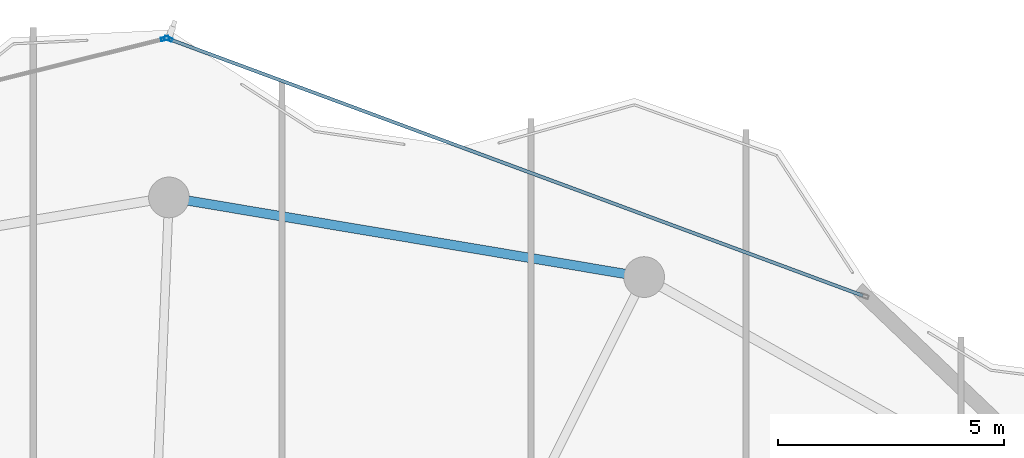
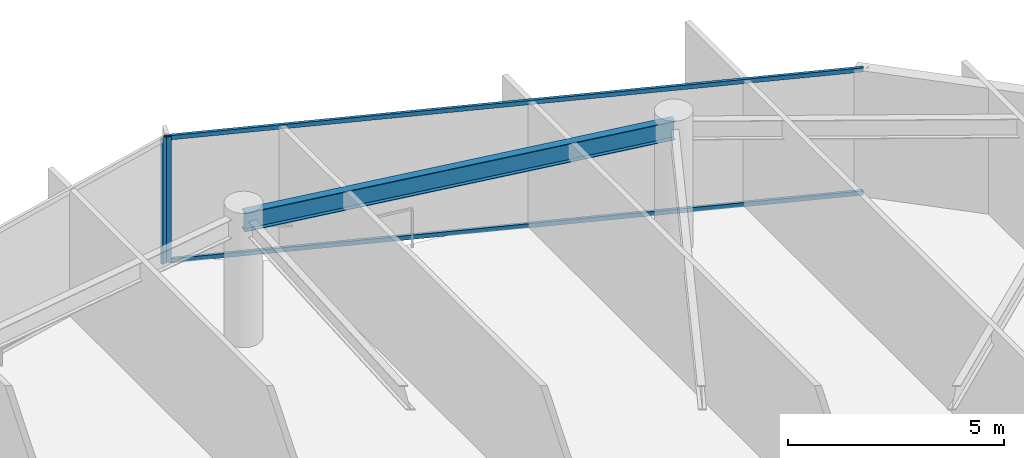
# One storey, part 21 of 29: 4 members, 1 beam, 2 elements without a shape of their own.
"""IFC4 building model written with IfcOpenShell, lengths in metres."""

from ifc_helpers import new_model, si_unit, direction, frame, origin, origin_2d, place, context, subcontext, project, spatial, hollow_rectangle, i_section, extrude, material, layer, layer_set, material_profile, profile_set, type_object, element, aggregate, save


model = new_model("IFC4")

# Units and contexts
model_context = context("Model", 3, precision=1e-05, world=origin(), true_north=direction((0.0, 1.0)))
body_context = subcontext(model_context, "Body", "Model", "MODEL_VIEW")
ifc_project = project(units=[si_unit("LENGTHUNIT", "METRE"), si_unit("AREAUNIT", "SQUARE_METRE"), si_unit("VOLUMEUNIT", "CUBIC_METRE"), si_unit("PLANEANGLEUNIT", "RADIAN"), si_unit("MASSUNIT", "GRAM", prefix="KILO")], contexts=[model_context])

# Site, building, storey
site_placement = place(None, origin())
site = spatial("IfcSite", under=ifc_project, at=site_placement, CompositionType="ELEMENT")
building_placement = place(site_placement, origin())
building = spatial("IfcBuilding", under=site, at=building_placement, Name="Kazevale Care Tower and Concert Hall", CompositionType="ELEMENT")
storey_placement = place(building_placement, frame((0.0, 0.0, 285.199951171875)))
storey = spatial("IfcBuildingStorey", under=building, at=storey_placement, Name="L75", CompositionType="ELEMENT", Elevation=285.199951171875)

# Curtain wall, members
ifc_material_1 = material(Name="Aluminium 6063-T6 and Low-E Glass", Category="aluminium")
ifc_layer_1 = layer(ifc_material_1, 0.179931640625)
ifc_layer_set_1 = layer_set([ifc_layer_1], Name="Aluminium 6063-T6 and Low-E Glass")
curtain_wall_type_1 = type_object("IfcCurtainWallType", Name="Convex Checkerboard Finned Curtain Wall CW-2", PredefinedType="NOTDEFINED", material=ifc_layer_set_1)
curtain_wall_1_placement = place(storey_placement, origin())
curtain_wall_1 = element("IfcCurtainWall", 1, at=curtain_wall_1_placement, inside=storey, type_object=curtain_wall_type_1, Name="cw:L75:f16", PredefinedType="NOTDEFINED")
ifc_material_2 = material(Name="Aluminium 6063-T6", Category="aluminium")
ifc_material_profile_1 = material_profile(ifc_material_2, hollow_rectangle(XDim=0.080078125, YDim=0.179931640625, WallThickness=0.0048828125, at=origin_2d()), Name="ALU80x180x5")
ifc_profile_set_1 = profile_set([ifc_material_profile_1], Name="Aluminium 6063-T6")
member_type_1 = type_object("IfcMemberType", Name="CW-2 Mullion ALU80x180x5", PredefinedType="MULLION", material=ifc_profile_set_1)
member_1_placement = place(storey_placement, frame((44.988525390625, 64.653076171875, 0.0), z_axis=(0.0, 0.0, 1.0), x_axis=(0.346863695471, 0.937915548844, 0.0)))
member_1 = element("IfcMember", 2, at=member_1_placement, type_object=member_type_1, Name="CW-2 mullion 1", PredefinedType="MULLION", context=body_context, shape_type="SweptSolid", body=[
    extrude(hollow_rectangle(XDim=0.080078125, YDim=0.179931640625, WallThickness=0.0048828125, at=origin_2d()), origin(), (0.0, 0.0, 1.0), 3.56005859375),
])
ifc_material_profile_2 = material_profile(ifc_material_2, hollow_rectangle(XDim=0.074951171875, YDim=0.1201171875, WallThickness=0.00390625, at=origin_2d()), Name="ALU75x120x4")
ifc_profile_set_2 = profile_set([ifc_material_profile_2], Name="Aluminium 6063-T6")
member_type_2 = type_object("IfcMemberType", Name="CW-2 Transom ALU75x120x4", PredefinedType="USERDEFINED", material=ifc_profile_set_2)
member_2_placement = place(storey_placement, frame((45.026123046875, 64.63916015625, 0.03759765625), z_axis=(0.937917384062, -0.346858733024, 0.0), x_axis=(0.346858733024, 0.937917384062, 0.0)))
member_2 = element("IfcMember", 3, at=member_2_placement, type_object=member_type_2, Name="CW-2 transom 1.1", ObjectType="TRANSOM", PredefinedType="USERDEFINED", context=body_context, shape_type="SweptSolid", body=[
    extrude(hollow_rectangle(XDim=0.074951171875, YDim=0.1201171875, WallThickness=0.00390625, at=origin_2d()), origin(), (0.0, 0.0, 1.0), 16.319091796875),
])
member_3_placement = place(storey_placement, frame((45.026123046875, 64.63916015625, 3.5224609375), z_axis=(0.937917384062, -0.346858733024, 0.0), x_axis=(0.346858733024, 0.937917384062, 0.0)))
member_3 = element("IfcMember", 4, at=member_3_placement, type_object=member_type_2, Name="CW-2 transom 1.2", ObjectType="TRANSOM", PredefinedType="USERDEFINED", context=body_context, shape_type="SweptSolid", body=[
    extrude(hollow_rectangle(XDim=0.074951171875, YDim=0.1201171875, WallThickness=0.00390625, at=origin_2d()), origin(), (0.0, 0.0, 1.0), 16.319091796875),
])
aggregate(curtain_wall_1, [member_1, member_2, member_3])

# Curtain wall, member
ifc_layer_2 = layer(ifc_material_1, 0.179931640625)
ifc_layer_set_2 = layer_set([ifc_layer_2], Name="Aluminium 6063-T6 and Low-E Glass")
curtain_wall_type_2 = type_object("IfcCurtainWallType", Name="Waist & Upper Residential Curtain Wall CW-4", PredefinedType="NOTDEFINED", material=ifc_layer_set_2)
curtain_wall_2_placement = place(storey_placement, origin())
curtain_wall_2 = element("IfcCurtainWall", 5, at=curtain_wall_2_placement, inside=storey, type_object=curtain_wall_type_2, Name="cw:L75:f15", PredefinedType="NOTDEFINED")
ifc_material_profile_3 = material_profile(ifc_material_2, hollow_rectangle(XDim=0.080078125, YDim=0.179931640625, WallThickness=0.0048828125, at=origin_2d()), Name="ALU80x180x5")
ifc_profile_set_3 = profile_set([ifc_material_profile_3], Name="Aluminium 6063-T6")
member_type_3 = type_object("IfcMemberType", Name="CW-4 Mullion ALU80x180x5", PredefinedType="MULLION", material=ifc_profile_set_3)
member_4_placement = place(storey_placement, frame((44.912109375, 64.657470703125, 0.0), z_axis=(0.0, 0.0, 1.0), x_axis=(-0.240891158711, 0.970552136495, 0.0)))
member_4 = element("IfcMember", 6, at=member_4_placement, type_object=member_type_3, Name="CW-4 mullion 2", PredefinedType="MULLION", context=body_context, shape_type="SweptSolid", body=[
    extrude(hollow_rectangle(XDim=0.080078125, YDim=0.179931640625, WallThickness=0.0048828125, at=origin_2d()), origin(), (0.0, 0.0, 1.0), 3.56005859375),
])
aggregate(curtain_wall_2, [member_4])

# Beam
ifc_material_3 = material(Name="Steel ASTM A572 Gr 50", Category="steel")
ifc_material_profile_4 = material_profile(ifc_material_3, i_section(OverallWidth=0.208984375, OverallDepth=0.532958984375, WebThickness=0.01025390625, FlangeThickness=0.015625, at=origin_2d()), Name="W530x92")
ifc_profile_set_4 = profile_set([ifc_material_profile_4], Name="Steel ASTM A572 Gr 50")
beam_type = type_object("IfcBeamType", Name="Upper Ring Beam W530x92", PredefinedType="BEAM", material=ifc_profile_set_4)
beam_placement = place(storey_placement, frame((55.5, 59.389892578125, 3.29345703125), z_axis=(-0.986241035683, 0.165313700387, 0.0), x_axis=(-0.165313700387, -0.986241035683, 0.0)))
element("IfcBeam", 7, at=beam_placement, inside=storey, type_object=beam_type, Name="beam:L75:ring:04", PredefinedType="BEAM", context=body_context, shape_type="SweptSolid", body=[
    extrude(i_section(OverallWidth=0.208984375, OverallDepth=0.532958984375, WebThickness=0.01025390625, FlangeThickness=0.015625, at=origin_2d()), origin(), (0.0, 0.0, 1.0), 10.646484375),
])

save(model, "model.ifc")
